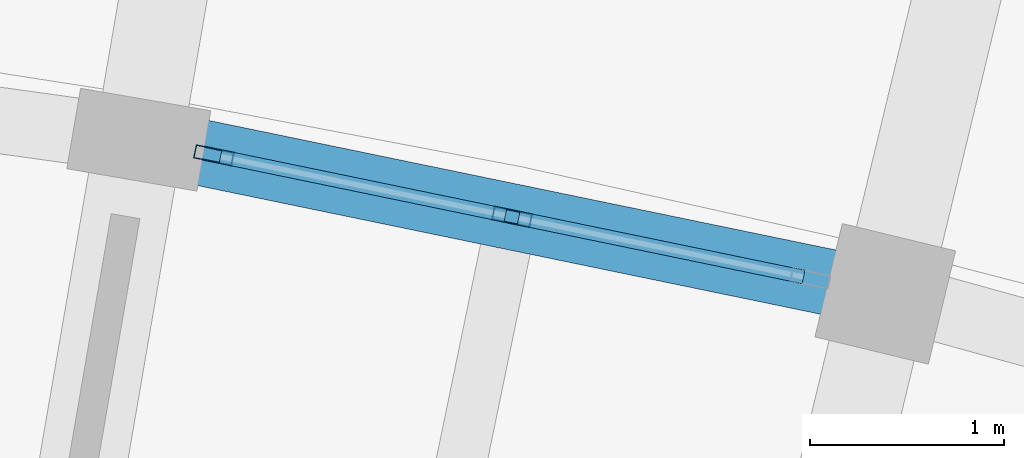
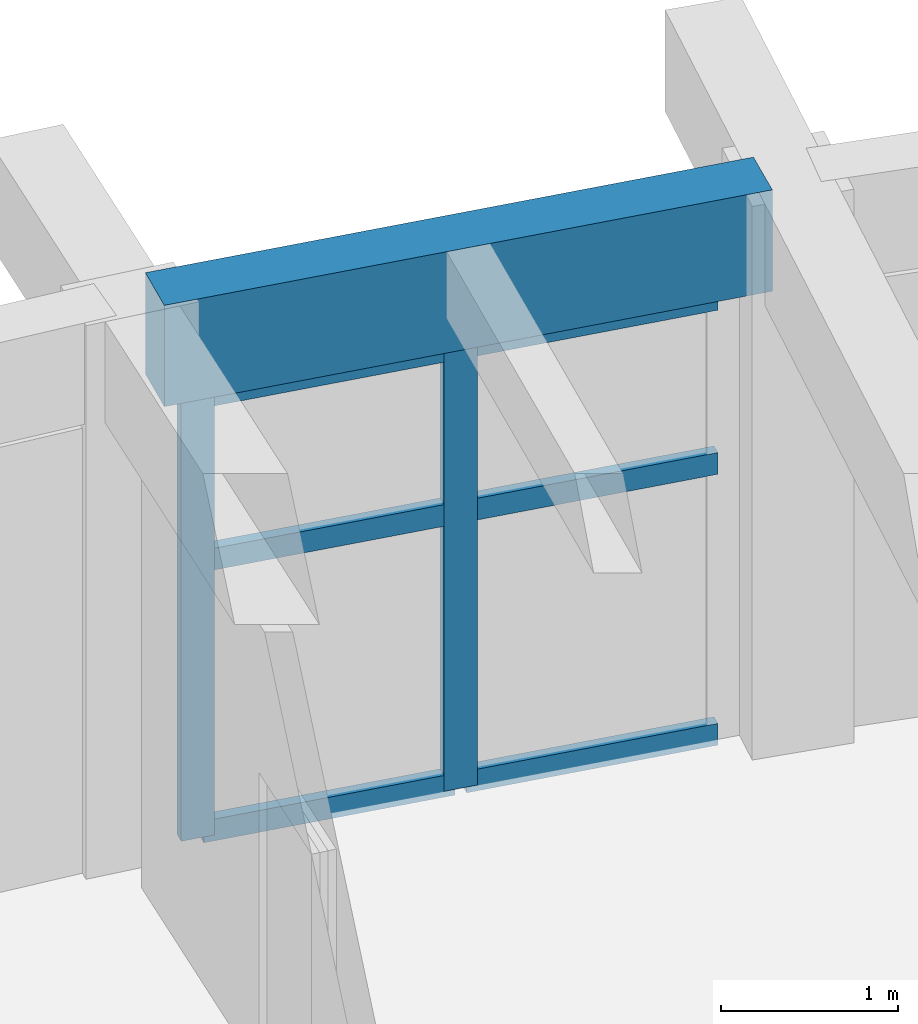
# One storey, part 54 of 128: 8 members, 1 beam, 1 element without a shape of its own.
"""IFC4 building model written with IfcOpenShell, lengths in metres."""

from ifc_helpers import new_model, si_unit, direction, frame, origin, origin_2d, place, context, subcontext, project, spatial, rectangle, hollow_rectangle, extrude, material, material_profile, profile_set, type_object, element, aggregate, save


model = new_model("IFC4")

# Units and contexts
model_context = context("Model", 3, precision=1e-05, world=origin(), true_north=direction((0.0, 1.0)))
body_context = subcontext(model_context, "Body", "Model", "MODEL_VIEW")
ifc_project = project(units=[si_unit("LENGTHUNIT", "METRE"), si_unit("AREAUNIT", "SQUARE_METRE"), si_unit("VOLUMEUNIT", "CUBIC_METRE"), si_unit("PLANEANGLEUNIT", "RADIAN"), si_unit("MASSUNIT", "GRAM", prefix="KILO")], contexts=[model_context])

# Site, building, storey
site_placement = place(None, origin())
site = spatial("IfcSite", under=ifc_project, at=site_placement, CompositionType="ELEMENT")
building_placement = place(site_placement, origin())
building = spatial("IfcBuilding", under=site, at=building_placement, Name="Tanwirah Colonnade Gardens", CompositionType="ELEMENT")
storey_placement = place(building_placement, frame((0.0, 0.0, 4.760009765625)))
storey = spatial("IfcBuildingStorey", under=building, at=storey_placement, Name="L01", CompositionType="ELEMENT", Elevation=4.760009765625)

# Curtain wall, members
ifc_material_1 = material(Name="Bronze-anodised aluminium and solar-control low-E glass", Category="aluminium")
curtain_wall_type = type_object("IfcCurtainWallType", Name="CW-LOB", PredefinedType="NOTDEFINED", material=ifc_material_1)
curtain_wall_placement = place(storey_placement, origin())
curtain_wall = element("IfcCurtainWall", 1, at=curtain_wall_placement, inside=storey, type_object=curtain_wall_type, Name="Curtain Wall CW-B-L01-OUT-16", PredefinedType="NOTDEFINED")
ifc_material_2 = material(Name="Bronze-anodised aluminium", Category="aluminium")
ifc_material_profile_1 = material_profile(ifc_material_2, hollow_rectangle(XDim=0.070068359375, YDim=0.199951171875, WallThickness=0.00390625, at=origin_2d()), Name="CW-MUL 70x200x4")
ifc_profile_set_1 = profile_set([ifc_material_profile_1], Name="Bronze-anodised aluminium")
member_type_1 = type_object("IfcMemberType", Name="CWM-70x200", PredefinedType="MULLION", material=ifc_profile_set_1)
member_1_placement = place(storey_placement, frame((133.035400390625, 118.488037109375, 0.0), z_axis=(0.0, 0.0, 1.0), x_axis=(-0.202218047772, -0.979340523595, 0.0)))
member_1 = element("IfcMember", 2, at=member_1_placement, type_object=member_type_1, Name="CW-LOB mullion 2", PredefinedType="MULLION", context=body_context, shape_type="SweptSolid", body=[
    extrude(hollow_rectangle(XDim=0.070068359375, YDim=0.199951171875, WallThickness=0.00390625, at=origin_2d()), origin(), (0.0, 0.0, 1.0), 3.074951171875),
])
member_2_placement = place(storey_placement, frame((131.5, 118.80517578125, 0.0), z_axis=(0.0, 0.0, 1.0), x_axis=(-0.202218047772, -0.979340523595, 0.0)))
member_2 = element("IfcMember", 3, at=member_2_placement, type_object=member_type_1, Name="CW-LOB mullion 3", PredefinedType="MULLION", context=body_context, shape_type="SweptSolid", body=[
    extrude(hollow_rectangle(XDim=0.070068359375, YDim=0.199951171875, WallThickness=0.00390625, at=origin_2d()), origin(), (0.0, 0.0, 1.0), 3.074951171875),
])
ifc_material_profile_2 = material_profile(ifc_material_2, hollow_rectangle(XDim=0.070068359375, YDim=0.14990234375, WallThickness=0.00390625, at=origin_2d()), Name="CW-TRN 70x150x4")
ifc_profile_set_2 = profile_set([ifc_material_profile_2], Name="Bronze-anodised aluminium")
member_type_2 = type_object("IfcMemberType", Name="CWT-70x150", PredefinedType="USERDEFINED", material=ifc_profile_set_2)
member_3_placement = place(storey_placement, frame((134.53662109375, 118.177978515625, 0.034912109375), z_axis=(-0.979326164113, 0.202287578173, 0.0), x_axis=(-0.202287578173, -0.979326164113, 0.0)))
member_3 = element("IfcMember", 4, at=member_3_placement, type_object=member_type_2, Name="CW-LOB transom 1.1", ObjectType="TRANSOM", PredefinedType="USERDEFINED", context=body_context, shape_type="SweptSolid", body=[
    extrude(hollow_rectangle(XDim=0.070068359375, YDim=0.14990234375, WallThickness=0.00390625, at=origin_2d()), origin(), (0.0, 0.0, 1.0), 1.497802734375),
])
member_4_placement = place(storey_placement, frame((134.53662109375, 118.177978515625, 1.906494140625), z_axis=(-0.979326164113, 0.202287578173, 0.0), x_axis=(-0.202287578173, -0.979326164113, 0.0)))
member_4 = element("IfcMember", 5, at=member_4_placement, type_object=member_type_2, Name="CW-LOB transom 1.2", ObjectType="TRANSOM", PredefinedType="USERDEFINED", context=body_context, shape_type="SweptSolid", body=[
    extrude(hollow_rectangle(XDim=0.070068359375, YDim=0.14990234375, WallThickness=0.00390625, at=origin_2d()), origin(), (0.0, 0.0, 1.0), 1.497802734375),
])
member_5_placement = place(storey_placement, frame((134.53662109375, 118.177978515625, 3.0400390625), z_axis=(-0.979326164113, 0.202287578173, 0.0), x_axis=(-0.202287578173, -0.979326164113, 0.0)))
member_5 = element("IfcMember", 6, at=member_5_placement, type_object=member_type_2, Name="CW-LOB transom 1.3", ObjectType="TRANSOM", PredefinedType="USERDEFINED", context=body_context, shape_type="SweptSolid", body=[
    extrude(hollow_rectangle(XDim=0.070068359375, YDim=0.14990234375, WallThickness=0.00390625, at=origin_2d()), origin(), (0.0, 0.0, 1.0), 1.497802734375),
])
member_6_placement = place(storey_placement, frame((133.001220703125, 118.4951171875, 0.034912109375), z_axis=(-0.979326164113, 0.202287578173, 0.0), x_axis=(-0.202287578173, -0.979326164113, 0.0)))
member_6 = element("IfcMember", 7, at=member_6_placement, type_object=member_type_2, Name="CW-LOB transom 2.1", ObjectType="TRANSOM", PredefinedType="USERDEFINED", context=body_context, shape_type="SweptSolid", body=[
    extrude(hollow_rectangle(XDim=0.070068359375, YDim=0.14990234375, WallThickness=0.00390625, at=origin_2d()), origin(), (0.0, 0.0, 1.0), 1.497802734375),
])
member_7_placement = place(storey_placement, frame((133.001220703125, 118.4951171875, 1.906494140625), z_axis=(-0.979326164113, 0.202287578173, 0.0), x_axis=(-0.202287578173, -0.979326164113, 0.0)))
member_7 = element("IfcMember", 8, at=member_7_placement, type_object=member_type_2, Name="CW-LOB transom 2.2", ObjectType="TRANSOM", PredefinedType="USERDEFINED", context=body_context, shape_type="SweptSolid", body=[
    extrude(hollow_rectangle(XDim=0.070068359375, YDim=0.14990234375, WallThickness=0.00390625, at=origin_2d()), origin(), (0.0, 0.0, 1.0), 1.497802734375),
])
member_8_placement = place(storey_placement, frame((133.001220703125, 118.4951171875, 3.0400390625), z_axis=(-0.979326164113, 0.202287578173, 0.0), x_axis=(-0.202287578173, -0.979326164113, 0.0)))
member_8 = element("IfcMember", 9, at=member_8_placement, type_object=member_type_2, Name="CW-LOB transom 2.3", ObjectType="TRANSOM", PredefinedType="USERDEFINED", context=body_context, shape_type="SweptSolid", body=[
    extrude(hollow_rectangle(XDim=0.070068359375, YDim=0.14990234375, WallThickness=0.00390625, at=origin_2d()), origin(), (0.0, 0.0, 1.0), 1.497802734375),
])
aggregate(curtain_wall, [member_1, member_2, member_3, member_4, member_5, member_6, member_7, member_8])

# Beam
ifc_material_3 = material(Name="Precast concrete C45/55", Category="concrete")
ifc_material_profile_3 = material_profile(ifc_material_3, rectangle(XDim=0.340087890625, YDim=0.699951171875, at=origin_2d()), Name="PC-SP 340x700")
ifc_profile_set_3 = profile_set([ifc_material_profile_3], Name="Precast concrete C45/55")
beam_type = type_object("IfcBeamType", Name="SP-PC340", PredefinedType="SPANDREL", material=ifc_profile_set_3)
beam_placement = place(storey_placement, frame((134.810791015625, 118.121337890625, 3.47509765625), z_axis=(-0.979328544205, 0.202276055197, 0.0), x_axis=(-0.202276055197, -0.979328544205, 0.0)))
element("IfcBeam", 10, at=beam_placement, inside=storey, type_object=beam_type, Name="Block B L01 Circumferential Beam 16-R3", PredefinedType="SPANDREL", context=body_context, shape_type="SweptSolid", body=[
    extrude(rectangle(XDim=0.340087890625, YDim=0.699951171875, at=origin_2d()), origin(), (0.0, 0.0, 1.0), 3.625732421875),
])

save(model, "model.ifc")
